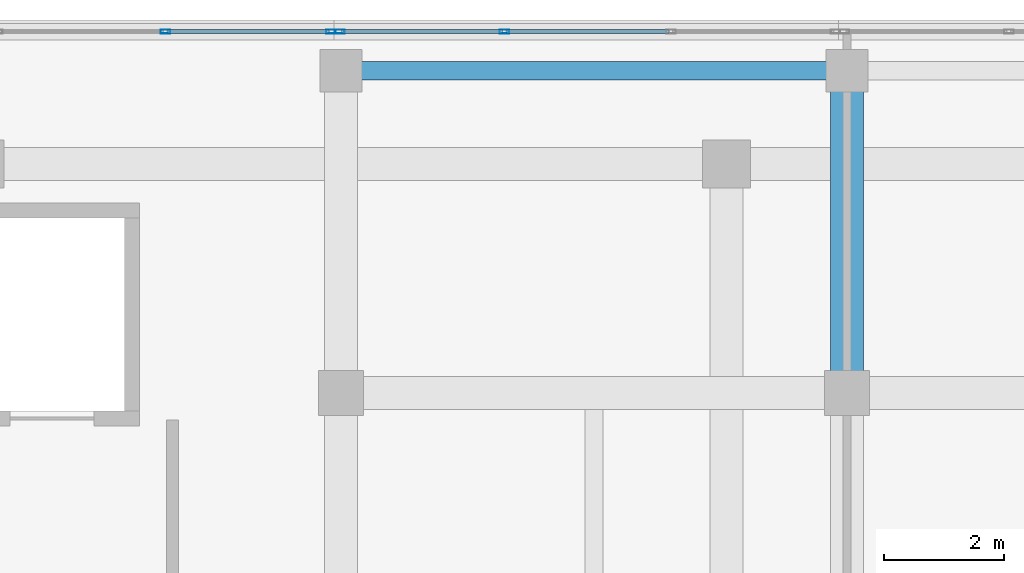
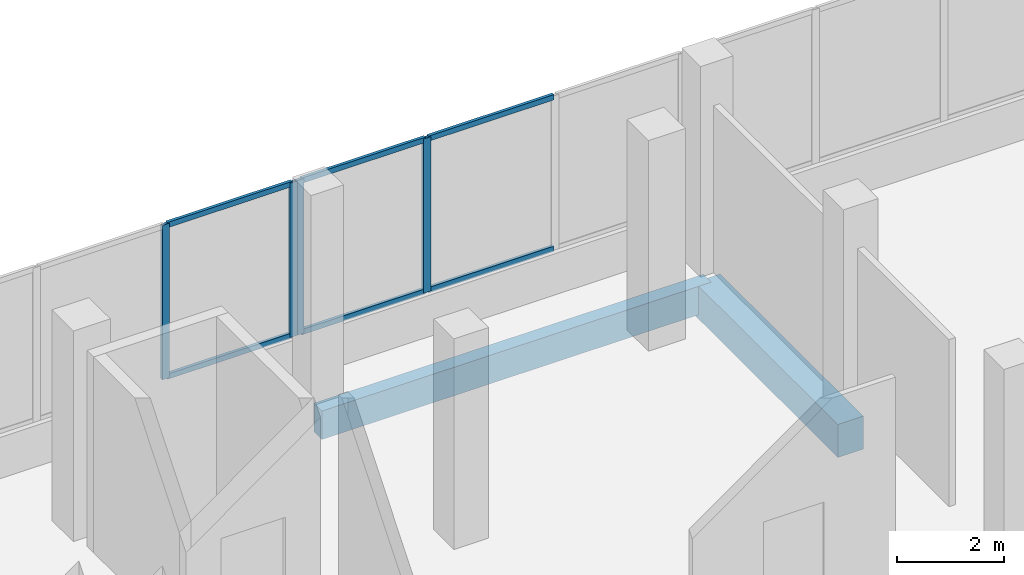
# One storey, part 73 of 155: 10 members, 2 beams, 2 elements without a shape of their own.
"""IFC4 building model written with IfcOpenShell, lengths in metres."""

from ifc_helpers import new_model, si_unit, direction, frame, origin, origin_2d, place, context, subcontext, project, spatial, rectangle, hollow_rectangle, extrude, material, material_profile, profile_set, type_object, element, aggregate, save


model = new_model("IFC4")

# Units and contexts
model_context = context("Model", 3, precision=1e-05, world=origin(), true_north=direction((0.0, 1.0)))
body_context = subcontext(model_context, "Body", "Model", "MODEL_VIEW")
ifc_project = project(units=[si_unit("LENGTHUNIT", "METRE"), si_unit("AREAUNIT", "SQUARE_METRE"), si_unit("VOLUMEUNIT", "CUBIC_METRE"), si_unit("PLANEANGLEUNIT", "RADIAN"), si_unit("MASSUNIT", "GRAM", prefix="KILO")], contexts=[model_context])

# Site, building, storey
site_placement = place(None, origin())
site = spatial("IfcSite", under=ifc_project, at=site_placement, CompositionType="ELEMENT")
building_placement = place(site_placement, origin())
building = spatial("IfcBuilding", under=site, at=building_placement, Name="Selatvlak General Hospital", CompositionType="ELEMENT")
storey_placement = place(building_placement, frame((0.0, 0.0, 10.199951171875)))
storey = spatial("IfcBuildingStorey", under=building, at=storey_placement, Name="L02", CompositionType="ELEMENT", Elevation=10.199951171875)

# Beams
ifc_material_1 = material(Name="Concrete C40/50", Category="concrete")
ifc_material_profile_1 = material_profile(ifc_material_1, rectangle(XDim=0.550048828125, YDim=0.75, at=origin_2d()), Name="RC-BM 550x750")
ifc_profile_set_1 = profile_set([ifc_material_profile_1], Name="Concrete C40/50")
beam_type_1 = type_object("IfcBeamType", Name="BM-G02", PredefinedType="BEAM", material=ifc_profile_set_1)
beam_1_placement = place(storey_placement, frame((73.199951171875, 114.0, -0.72998046875), z_axis=(0.0, 1.0, 0.0), x_axis=(-1.0, 0.0, 0.0)))
element("IfcBeam", 1, at=beam_1_placement, inside=storey, type_object=beam_type_1, Name="Beam BMR-L02-0982", PredefinedType="BEAM", context=body_context, shape_type="SweptSolid", body=[
    extrude(rectangle(XDim=0.550048828125, YDim=0.75, at=origin_2d()), origin(), (0.0, 0.0, 1.0), 5.35009765625),
])
ifc_material_profile_2 = material_profile(ifc_material_1, rectangle(XDim=0.300048828125, YDim=0.64990234375, at=origin_2d()), Name="RC-SP 300x650")
ifc_profile_set_2 = profile_set([ifc_material_profile_2], Name="Concrete C40/50")
beam_type_2 = type_object("IfcBeamType", Name="BM-SP1", PredefinedType="SPANDREL", material=ifc_profile_set_2)
beam_2_placement = place(storey_placement, frame((64.800048828125, 119.35009765625, -0.679931640625), z_axis=(1.0, 0.0, 0.0), x_axis=(0.0, 1.0, 0.0)))
element("IfcBeam", 2, at=beam_2_placement, inside=storey, type_object=beam_type_2, Name="Beam BMR-L02-0912", PredefinedType="SPANDREL", context=body_context, shape_type="SweptSolid", body=[
    extrude(rectangle(XDim=0.300048828125, YDim=0.64990234375, at=origin_2d()), origin(), (0.0, 0.0, 1.0), 8.39990234375),
])

# Curtain wall, members
ifc_material_2 = material(Name="Solar-control Low-E double glazing", Category="glass")
curtain_wall_type_1 = type_object("IfcCurtainWallType", Name="CW-CW-01", PredefinedType="USERDEFINED", material=ifc_material_2)
curtain_wall_1_placement = place(storey_placement, origin())
curtain_wall_1 = element("IfcCurtainWall", 3, at=curtain_wall_1_placement, inside=storey, type_object=curtain_wall_type_1, Name="Glazed facade curtain wall CW-L02-0248", ObjectType="UNITISED CURTAIN WALL", PredefinedType="USERDEFINED")
ifc_material_3 = material(Name="Dark anodised aluminium mullion", Category="aluminium")
ifc_material_profile_3 = material_profile(ifc_material_3, hollow_rectangle(XDim=0.06494140625, YDim=0.159912109375, WallThickness=0.00390625, at=origin_2d()), Name="AL-MUL 65x160x4")
ifc_profile_set_3 = profile_set([ifc_material_profile_3], Name="Dark anodised aluminium mullion")
member_type_1 = type_object("IfcMemberType", Name="CWM-01", PredefinedType="MULLION", material=ifc_profile_set_3)
member_1_placement = place(storey_placement, frame((61.881591796875, 119.9990234375, 0.93994140625), z_axis=(0.0, 0.0, 1.0), x_axis=(0.0, 1.0, 0.0)))
member_1 = element("IfcMember", 4, at=member_1_placement, type_object=member_type_1, Name="CW-01 mullion 3", PredefinedType="MULLION", context=body_context, shape_type="SweptSolid", body=[
    extrude(hollow_rectangle(XDim=0.06494140625, YDim=0.159912109375, WallThickness=0.00390625, at=origin_2d()), origin(), (0.0, 0.0, 1.0), 3.52001953125),
])
member_2_placement = place(storey_placement, frame((64.632568359375, 119.9990234375, 0.93994140625), z_axis=(0.0, 0.0, 1.0), x_axis=(0.0, 1.0, 0.0)))
member_2 = element("IfcMember", 5, at=member_2_placement, type_object=member_type_1, Name="CW-01 mullion 4", PredefinedType="MULLION", context=body_context, shape_type="SweptSolid", body=[
    extrude(hollow_rectangle(XDim=0.06494140625, YDim=0.159912109375, WallThickness=0.00390625, at=origin_2d()), origin(), (0.0, 0.0, 1.0), 3.52001953125),
])

curtain_wall_type_2 = type_object("IfcCurtainWallType", Name="CW-CW-02", PredefinedType="USERDEFINED", material=ifc_material_2)
curtain_wall_2_placement = place(storey_placement, origin())
curtain_wall_2 = element("IfcCurtainWall", 6, at=curtain_wall_2_placement, inside=storey, type_object=curtain_wall_type_2, Name="Glazed facade curtain wall CW-L02-0249", ObjectType="UNITISED CURTAIN WALL", PredefinedType="USERDEFINED")
member_3_placement = place(storey_placement, frame((64.777587890625, 119.9990234375, 0.93994140625), z_axis=(0.0, 0.0, 1.0), x_axis=(0.0, 1.0, 0.0)))
member_3 = element("IfcMember", 7, at=member_3_placement, type_object=member_type_1, Name="CW-02 mullion 1", PredefinedType="MULLION", context=body_context, shape_type="SweptSolid", body=[
    extrude(hollow_rectangle(XDim=0.06494140625, YDim=0.159912109375, WallThickness=0.00390625, at=origin_2d()), origin(), (0.0, 0.0, 1.0), 3.52001953125),
])
member_4_placement = place(storey_placement, frame((67.51171875, 119.9990234375, 0.93994140625), z_axis=(0.0, 0.0, 1.0), x_axis=(0.0, 1.0, 0.0)))
member_4 = element("IfcMember", 8, at=member_4_placement, type_object=member_type_1, Name="CW-02 mullion 2", PredefinedType="MULLION", context=body_context, shape_type="SweptSolid", body=[
    extrude(hollow_rectangle(XDim=0.06494140625, YDim=0.159912109375, WallThickness=0.00390625, at=origin_2d()), origin(), (0.0, 0.0, 1.0), 3.52001953125),
])

# Member
ifc_material_profile_4 = material_profile(ifc_material_3, hollow_rectangle(XDim=0.06494140625, YDim=0.1201171875, WallThickness=0.00390625, at=origin_2d()), Name="AL-TRN 65x120x4")
ifc_profile_set_4 = profile_set([ifc_material_profile_4], Name="Dark anodised aluminium mullion")
member_type_2 = type_object("IfcMemberType", Name="CWT-01", PredefinedType="USERDEFINED", material=ifc_profile_set_4)
member_5_placement = place(storey_placement, frame((61.9140625, 119.9990234375, 0.97265625), z_axis=(1.0, 0.0, 0.0), x_axis=(0.0, 1.0, 0.0)))
member_5 = element("IfcMember", 9, at=member_5_placement, type_object=member_type_2, Name="CW-01 transom 3.1", ObjectType="TRANSOM", PredefinedType="USERDEFINED", context=body_context, shape_type="SweptSolid", body=[
    extrude(hollow_rectangle(XDim=0.06494140625, YDim=0.1201171875, WallThickness=0.00390625, at=origin_2d()), origin(), (0.0, 0.0, 1.0), 2.68603515625),
])

member_6_placement = place(storey_placement, frame((61.9140625, 119.9990234375, 4.427490234375), z_axis=(1.0, 0.0, 0.0), x_axis=(0.0, 1.0, 0.0)))
member_6 = element("IfcMember", 10, at=member_6_placement, type_object=member_type_2, Name="CW-01 transom 3.2", ObjectType="TRANSOM", PredefinedType="USERDEFINED", context=body_context, shape_type="SweptSolid", body=[
    extrude(hollow_rectangle(XDim=0.06494140625, YDim=0.1201171875, WallThickness=0.00390625, at=origin_2d()), origin(), (0.0, 0.0, 1.0), 2.68603515625),
])

aggregate(curtain_wall_1, [member_1, member_2, member_5, member_6])

member_7_placement = place(storey_placement, frame((64.81005859375, 119.9990234375, 0.97265625), z_axis=(1.0, 0.0, 0.0), x_axis=(0.0, 1.0, 0.0)))
member_7 = element("IfcMember", 11, at=member_7_placement, type_object=member_type_2, Name="CW-02 transom 1.1", ObjectType="TRANSOM", PredefinedType="USERDEFINED", context=body_context, shape_type="SweptSolid", body=[
    extrude(hollow_rectangle(XDim=0.06494140625, YDim=0.1201171875, WallThickness=0.00390625, at=origin_2d()), origin(), (0.0, 0.0, 1.0), 2.669189453125),
])

member_8_placement = place(storey_placement, frame((64.81005859375, 119.9990234375, 4.427490234375), z_axis=(1.0, 0.0, 0.0), x_axis=(0.0, 1.0, 0.0)))
member_8 = element("IfcMember", 12, at=member_8_placement, type_object=member_type_2, Name="CW-02 transom 1.2", ObjectType="TRANSOM", PredefinedType="USERDEFINED", context=body_context, shape_type="SweptSolid", body=[
    extrude(hollow_rectangle(XDim=0.06494140625, YDim=0.1201171875, WallThickness=0.00390625, at=origin_2d()), origin(), (0.0, 0.0, 1.0), 2.669189453125),
])

member_9_placement = place(storey_placement, frame((67.544189453125, 119.9990234375, 0.97265625), z_axis=(1.0, 0.0, 0.0), x_axis=(0.0, 1.0, 0.0)))
member_9 = element("IfcMember", 13, at=member_9_placement, type_object=member_type_2, Name="CW-02 transom 2.1", ObjectType="TRANSOM", PredefinedType="USERDEFINED", context=body_context, shape_type="SweptSolid", body=[
    extrude(hollow_rectangle(XDim=0.06494140625, YDim=0.1201171875, WallThickness=0.00390625, at=origin_2d()), origin(), (0.0, 0.0, 1.0), 2.70166015625),
])

member_10_placement = place(storey_placement, frame((67.544189453125, 119.9990234375, 4.427490234375), z_axis=(1.0, 0.0, 0.0), x_axis=(0.0, 1.0, 0.0)))
member_10 = element("IfcMember", 14, at=member_10_placement, type_object=member_type_2, Name="CW-02 transom 2.2", ObjectType="TRANSOM", PredefinedType="USERDEFINED", context=body_context, shape_type="SweptSolid", body=[
    extrude(hollow_rectangle(XDim=0.06494140625, YDim=0.1201171875, WallThickness=0.00390625, at=origin_2d()), origin(), (0.0, 0.0, 1.0), 2.70166015625),
])

aggregate(curtain_wall_2, [member_3, member_4, member_7, member_8, member_9, member_10])

save(model, "model.ifc")
